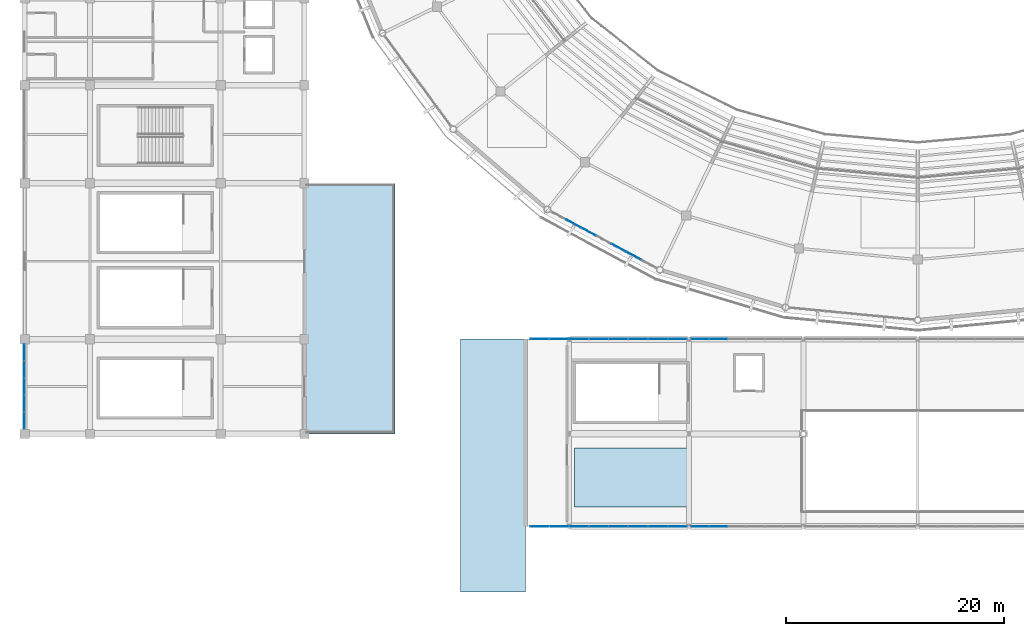
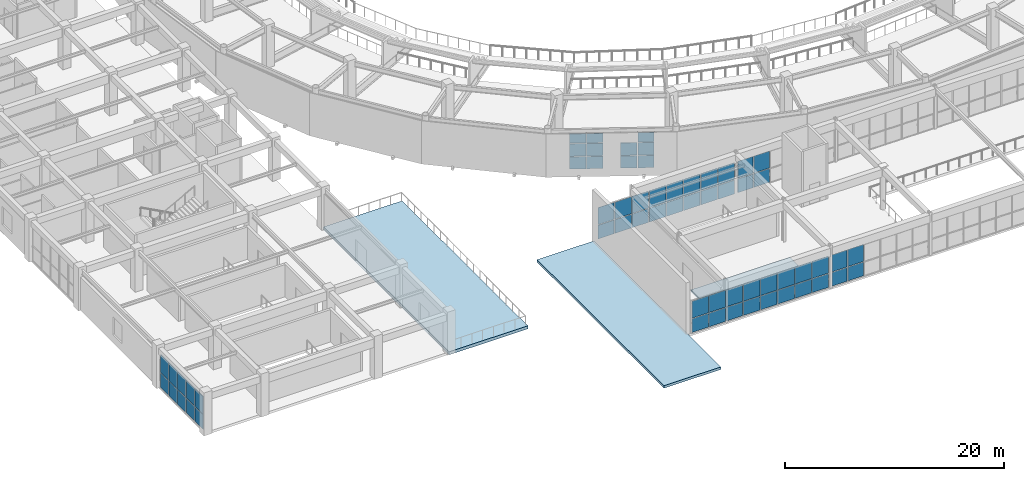
# One storey, part 77 of 122: 61 plates, 3 slabs, 6 elements without a shape of their own.
"""IFC4 building model written with IfcOpenShell, lengths in metres."""

from ifc_helpers import new_model, si_unit, direction, frame, origin, origin_2d, place, context, subcontext, project, spatial, polyline, rectangle, outline, extrude, material, layer, layer_set, type_object, element, aggregate, save


model = new_model("IFC4")

# Units and contexts
model_context = context("Model", 3, precision=1e-05, world=origin(), true_north=direction((0.0, 1.0)))
body_context = subcontext(model_context, "Body", "Model", "MODEL_VIEW")
ifc_project = project(units=[si_unit("LENGTHUNIT", "METRE"), si_unit("AREAUNIT", "SQUARE_METRE"), si_unit("VOLUMEUNIT", "CUBIC_METRE"), si_unit("PLANEANGLEUNIT", "RADIAN"), si_unit("MASSUNIT", "GRAM", prefix="KILO")], contexts=[model_context])

# Site, building, storey
site_placement = place(None, origin())
site = spatial("IfcSite", under=ifc_project, at=site_placement, CompositionType="ELEMENT")
building_placement = place(site_placement, origin())
building = spatial("IfcBuilding", under=site, at=building_placement, Name="Cuetzalor Civic Arena", CompositionType="ELEMENT")
storey_placement = place(building_placement, frame((0.0, 0.0, 16.199951171875)))
storey = spatial("IfcBuildingStorey", under=building, at=storey_placement, Name="L03", CompositionType="ELEMENT", Elevation=16.199951171875)

# Curtain wall, plates
ifc_material_1 = material(Name="Anodised dark bronze aluminium and low-E solar glass", Category="aluminium")
curtain_wall_type_1 = type_object("IfcCurtainWallType", Name="UnitisedCW_10950x4050", PredefinedType="USERDEFINED", material=ifc_material_1)
curtain_wall_1_placement = place(storey_placement, origin())
curtain_wall_1 = element("IfcCurtainWall", 1, at=curtain_wall_1_placement, inside=storey, type_object=curtain_wall_type_1, Name="Drum Triangle Foyer Curtain Wall L03-052", ObjectType="UNITISED CURTAIN WALL", PredefinedType="USERDEFINED")
ifc_material_2 = material(Name="Acoustic laminated solar control glass", Category="glass")
ifc_layer_1 = layer(ifc_material_2, 0.0439453125)
ifc_layer_set_1 = layer_set([ifc_layer_1], Name="Acoustic laminated solar control glass")
plate_type_1 = type_object("IfcPlateType", Name="AcousticTripleGlazedPanel_44", PredefinedType="CURTAIN_PANEL", material=ifc_layer_set_1)
plate_1_placement = place(storey_placement, frame((-26.08349609375, -40.64501953125, 0.06494140625), z_axis=(0.0, 0.0, 1.0), x_axis=(-0.881306344124, 0.472545371163, 0.0)))
plate_1 = element("IfcPlate", 2, at=plate_1_placement, type_object=plate_type_1, Name="CW-13 panel 2.1", PredefinedType="CURTAIN_PANEL", context=body_context, shape_type="SweptSolid", body=[
    extrude(rectangle(XDim=1.498779296875, YDim=0.0439453125, at=origin_2d()), origin(), (0.0, 0.0, 1.0), 1.361572265625),
])
plate_2_placement = place(storey_placement, frame((-26.08349609375, -40.64501953125, 1.491455078125), z_axis=(0.0, 0.0, 1.0), x_axis=(-0.881306344124, 0.472545371163, 0.0)))
plate_2 = element("IfcPlate", 3, at=plate_2_placement, type_object=plate_type_1, Name="CW-13 panel 2.2", PredefinedType="CURTAIN_PANEL", context=body_context, shape_type="SweptSolid", body=[
    extrude(rectangle(XDim=1.498779296875, YDim=0.0439453125, at=origin_2d()), origin(), (0.0, 0.0, 1.0), 1.39404296875),
])
plate_3_placement = place(storey_placement, frame((-26.08349609375, -40.64501953125, 2.950439453125), z_axis=(0.0, 0.0, 1.0), x_axis=(-0.881306344124, 0.472545371163, 0.0)))
plate_3 = element("IfcPlate", 4, at=plate_3_placement, type_object=plate_type_1, Name="CW-13 panel 2.3", PredefinedType="CURTAIN_PANEL", context=body_context, shape_type="SweptSolid", body=[
    extrude(rectangle(XDim=1.498779296875, YDim=0.0439453125, at=origin_2d()), origin(), (0.0, 0.0, 1.0), 1.03759765625),
])
plate_4_placement = place(storey_placement, frame((-27.461669921875, -39.90625, 0.06494140625), z_axis=(0.0, 0.0, 1.0), x_axis=(-0.881306344124, 0.472545371163, 0.0)))
plate_4 = element("IfcPlate", 5, at=plate_4_placement, type_object=plate_type_1, Name="CW-13 panel 3.1", PredefinedType="CURTAIN_PANEL", context=body_context, shape_type="SweptSolid", body=[
    extrude(rectangle(XDim=1.498779296875, YDim=0.0439453125, at=origin_2d()), origin(), (0.0, 0.0, 1.0), 1.361572265625),
])
plate_5_placement = place(storey_placement, frame((-27.461669921875, -39.90625, 1.491455078125), z_axis=(0.0, 0.0, 1.0), x_axis=(-0.881306344124, 0.472545371163, 0.0)))
plate_5 = element("IfcPlate", 6, at=plate_5_placement, type_object=plate_type_1, Name="CW-13 panel 3.2", PredefinedType="CURTAIN_PANEL", context=body_context, shape_type="SweptSolid", body=[
    extrude(rectangle(XDim=1.498779296875, YDim=0.0439453125, at=origin_2d()), origin(), (0.0, 0.0, 1.0), 1.39404296875),
])
plate_6_placement = place(storey_placement, frame((-30.218017578125, -38.42822265625, 0.06494140625), z_axis=(0.0, 0.0, 1.0), x_axis=(-0.881306344124, 0.472545371163, 0.0)))
plate_6 = element("IfcPlate", 7, at=plate_6_placement, type_object=plate_type_1, Name="CW-13 panel 5.1", PredefinedType="CURTAIN_PANEL", context=body_context, shape_type="SweptSolid", body=[
    extrude(rectangle(XDim=1.498779296875, YDim=0.0439453125, at=origin_2d()), origin(), (0.0, 0.0, 1.0), 1.361572265625),
])
plate_7_placement = place(storey_placement, frame((-30.218017578125, -38.42822265625, 1.491455078125), z_axis=(0.0, 0.0, 1.0), x_axis=(-0.881306344124, 0.472545371163, 0.0)))
plate_7 = element("IfcPlate", 8, at=plate_7_placement, type_object=plate_type_1, Name="CW-13 panel 5.2", PredefinedType="CURTAIN_PANEL", context=body_context, shape_type="SweptSolid", body=[
    extrude(rectangle(XDim=1.498779296875, YDim=0.0439453125, at=origin_2d()), origin(), (0.0, 0.0, 1.0), 1.39404296875),
])
plate_8_placement = place(storey_placement, frame((-30.218017578125, -38.42822265625, 2.950439453125), z_axis=(0.0, 0.0, 1.0), x_axis=(-0.881306344124, 0.472545371163, 0.0)))
plate_8 = element("IfcPlate", 9, at=plate_8_placement, type_object=plate_type_1, Name="CW-13 panel 5.3", PredefinedType="CURTAIN_PANEL", context=body_context, shape_type="SweptSolid", body=[
    extrude(rectangle(XDim=1.498779296875, YDim=0.0439453125, at=origin_2d()), origin(), (0.0, 0.0, 1.0), 1.03759765625),
])
plate_9_placement = place(storey_placement, frame((-31.59619140625, -37.689208984375, 0.06494140625), z_axis=(0.0, 0.0, 1.0), x_axis=(-0.881306344124, 0.472545371163, 0.0)))
plate_9 = element("IfcPlate", 10, at=plate_9_placement, type_object=plate_type_1, Name="CW-13 panel 6.1", PredefinedType="CURTAIN_PANEL", context=body_context, shape_type="SweptSolid", body=[
    extrude(rectangle(XDim=1.498779296875, YDim=0.0439453125, at=origin_2d()), origin(), (0.0, 0.0, 1.0), 1.361572265625),
])
plate_10_placement = place(storey_placement, frame((-31.59619140625, -37.689208984375, 1.491455078125), z_axis=(0.0, 0.0, 1.0), x_axis=(-0.881306344124, 0.472545371163, 0.0)))
plate_10 = element("IfcPlate", 11, at=plate_10_placement, type_object=plate_type_1, Name="CW-13 panel 6.2", PredefinedType="CURTAIN_PANEL", context=body_context, shape_type="SweptSolid", body=[
    extrude(rectangle(XDim=1.498779296875, YDim=0.0439453125, at=origin_2d()), origin(), (0.0, 0.0, 1.0), 1.39404296875),
])
plate_11_placement = place(storey_placement, frame((-31.59619140625, -37.689208984375, 2.950439453125), z_axis=(0.0, 0.0, 1.0), x_axis=(-0.881306344124, 0.472545371163, 0.0)))
plate_11 = element("IfcPlate", 12, at=plate_11_placement, type_object=plate_type_1, Name="CW-13 panel 6.3", PredefinedType="CURTAIN_PANEL", context=body_context, shape_type="SweptSolid", body=[
    extrude(rectangle(XDim=1.498779296875, YDim=0.0439453125, at=origin_2d()), origin(), (0.0, 0.0, 1.0), 1.03759765625),
])
aggregate(curtain_wall_1, [plate_1, plate_2, plate_3, plate_4, plate_5, plate_6, plate_7, plate_8, plate_9, plate_10, plate_11])

ifc_material_3 = material(Name="Anodised dark bronze aluminium and low-E solar glass", Category="aluminium")
curtain_wall_type_2 = type_object("IfcCurtainWallType", Name="UnitisedCW_7900x3800", PredefinedType="USERDEFINED", material=ifc_material_3)
curtain_wall_2_placement = place(storey_placement, origin())
curtain_wall_2 = element("IfcCurtainWall", 13, at=curtain_wall_2_placement, inside=storey, type_object=curtain_wall_type_2, Name="V4W Suite Viewing Curtain Wall L03-118", ObjectType="UNITISED CURTAIN WALL", PredefinedType="USERDEFINED")
plate_12_placement = place(storey_placement, frame((-82.0, -55.7880859375, 0.06494140625), z_axis=(0.0, 0.0, 1.0), x_axis=(0.0, 1.0, 0.0)))
plate_12 = element("IfcPlate", 14, at=plate_12_placement, type_object=plate_type_1, Name="CW-44 panel 1.1", PredefinedType="CURTAIN_PANEL", context=body_context, shape_type="SweptSolid", body=[
    extrude(rectangle(XDim=1.479736328125, YDim=0.0439453125, at=origin_2d()), origin(), (0.0, 0.0, 1.0), 1.612548828125),
])
plate_13_placement = place(storey_placement, frame((-82.0, -55.7880859375, 1.74267578125), z_axis=(0.0, 0.0, 1.0), x_axis=(0.0, 1.0, 0.0)))
plate_13 = element("IfcPlate", 15, at=plate_13_placement, type_object=plate_type_1, Name="CW-44 panel 1.2", PredefinedType="CURTAIN_PANEL", context=body_context, shape_type="SweptSolid", body=[
    extrude(rectangle(XDim=1.479736328125, YDim=0.0439453125, at=origin_2d()), origin(), (0.0, 0.0, 1.0), 1.992431640625),
])
plate_14_placement = place(storey_placement, frame((-82.0, -54.227294921875, 0.06494140625), z_axis=(0.0, 0.0, 1.0), x_axis=(0.0, 1.0, 0.0)))
plate_14 = element("IfcPlate", 16, at=plate_14_placement, type_object=plate_type_1, Name="CW-44 panel 2.1", PredefinedType="CURTAIN_PANEL", context=body_context, shape_type="SweptSolid", body=[
    extrude(rectangle(XDim=1.51220703125, YDim=0.0439453125, at=origin_2d()), origin(), (0.0, 0.0, 1.0), 1.612548828125),
])
plate_15_placement = place(storey_placement, frame((-82.0, -54.227294921875, 1.74267578125), z_axis=(0.0, 0.0, 1.0), x_axis=(0.0, 1.0, 0.0)))
plate_15 = element("IfcPlate", 17, at=plate_15_placement, type_object=plate_type_1, Name="CW-44 panel 2.2", PredefinedType="CURTAIN_PANEL", context=body_context, shape_type="SweptSolid", body=[
    extrude(rectangle(XDim=1.51220703125, YDim=0.0439453125, at=origin_2d()), origin(), (0.0, 0.0, 1.0), 1.992431640625),
])
plate_16_placement = place(storey_placement, frame((-82.0, -52.64990234375, 0.06494140625), z_axis=(0.0, 0.0, 1.0), x_axis=(0.0, 1.0, 0.0)))
plate_16 = element("IfcPlate", 18, at=plate_16_placement, type_object=plate_type_1, Name="CW-44 panel 3.1", PredefinedType="CURTAIN_PANEL", context=body_context, shape_type="SweptSolid", body=[
    extrude(rectangle(XDim=1.51220703125, YDim=0.0439453125, at=origin_2d()), origin(), (0.0, 0.0, 1.0), 1.612548828125),
])
plate_17_placement = place(storey_placement, frame((-82.0, -52.64990234375, 1.74267578125), z_axis=(0.0, 0.0, 1.0), x_axis=(0.0, 1.0, 0.0)))
plate_17 = element("IfcPlate", 19, at=plate_17_placement, type_object=plate_type_1, Name="CW-44 panel 3.2", PredefinedType="CURTAIN_PANEL", context=body_context, shape_type="SweptSolid", body=[
    extrude(rectangle(XDim=1.51220703125, YDim=0.0439453125, at=origin_2d()), origin(), (0.0, 0.0, 1.0), 1.992431640625),
])
plate_18_placement = place(storey_placement, frame((-82.0, -51.07275390625, 0.06494140625), z_axis=(0.0, 0.0, 1.0), x_axis=(0.0, 1.0, 0.0)))
plate_18 = element("IfcPlate", 20, at=plate_18_placement, type_object=plate_type_1, Name="CW-44 panel 4.1", PredefinedType="CURTAIN_PANEL", context=body_context, shape_type="SweptSolid", body=[
    extrude(rectangle(XDim=1.51220703125, YDim=0.0439453125, at=origin_2d()), origin(), (0.0, 0.0, 1.0), 1.612548828125),
])
plate_19_placement = place(storey_placement, frame((-82.0, -51.07275390625, 1.74267578125), z_axis=(0.0, 0.0, 1.0), x_axis=(0.0, 1.0, 0.0)))
plate_19 = element("IfcPlate", 21, at=plate_19_placement, type_object=plate_type_1, Name="CW-44 panel 4.2", PredefinedType="CURTAIN_PANEL", context=body_context, shape_type="SweptSolid", body=[
    extrude(rectangle(XDim=1.51220703125, YDim=0.0439453125, at=origin_2d()), origin(), (0.0, 0.0, 1.0), 1.992431640625),
])
plate_20_placement = place(storey_placement, frame((-82.0, -49.511962890625, 0.06494140625), z_axis=(0.0, 0.0, 1.0), x_axis=(0.0, 1.0, 0.0)))
plate_20 = element("IfcPlate", 22, at=plate_20_placement, type_object=plate_type_1, Name="CW-44 panel 5.1", PredefinedType="CURTAIN_PANEL", context=body_context, shape_type="SweptSolid", body=[
    extrude(rectangle(XDim=1.479736328125, YDim=0.0439453125, at=origin_2d()), origin(), (0.0, 0.0, 1.0), 1.612548828125),
])
plate_21_placement = place(storey_placement, frame((-82.0, -49.511962890625, 1.74267578125), z_axis=(0.0, 0.0, 1.0), x_axis=(0.0, 1.0, 0.0)))
plate_21 = element("IfcPlate", 23, at=plate_21_placement, type_object=plate_type_1, Name="CW-44 panel 5.2", PredefinedType="CURTAIN_PANEL", context=body_context, shape_type="SweptSolid", body=[
    extrude(rectangle(XDim=1.479736328125, YDim=0.0439453125, at=origin_2d()), origin(), (0.0, 0.0, 1.0), 1.992431640625),
])
aggregate(curtain_wall_2, [plate_12, plate_13, plate_14, plate_15, plate_16, plate_17, plate_18, plate_19, plate_20, plate_21])

# Slabs
ifc_material_4 = material(Name="Concrete C40/50", Category="concrete")
ifc_layer_2 = layer(ifc_material_4, 0.219970703125)
ifc_layer_set_2 = layer_set([ifc_layer_2], Name="Concrete C40/50")
slab_type_1 = type_object("IfcSlabType", Name="LiftShaftRoofCapSlab_220", PredefinedType="ROOF", material=ifc_layer_set_2)
slab_1_placement = place(storey_placement, frame((0.0, 0.0, -1.199951171875)))
element("IfcSlab", 24, at=slab_1_placement, inside=storey, type_object=slab_type_1, Name="Stair Core Enclosure Cap Slab ST-09", PredefinedType="ROOF", context=body_context, shape_type="SweptSolid", body=[
    extrude(outline(polyline([(-31.52001953125, -63.719970703125), (-21.080078125, -63.719970703125), (-21.080078125, -58.280029296875), (-31.52001953125, -58.280029296875), (-31.52001953125, -63.719970703125)])), origin(), (0.0, 0.0, 1.0), 0.219970703125),
])
ifc_material_5 = material(Name="Concrete C35/45", Category="concrete")
ifc_layer_3 = layer(ifc_material_5, 0.340087890625)
ifc_layer_set_3 = layer_set([ifc_layer_3], Name="Concrete C35/45")
slab_type_2 = type_object("IfcSlabType", Name="PlantedRoofGardenSlab_340", PredefinedType="FLOOR", material=ifc_layer_set_3)
slab_2_placement = place(storey_placement, frame((0.0, 0.0, -0.33984375)))
element("IfcSlab", 25, at=slab_2_placement, inside=storey, type_object=slab_type_2, Name="Planted Roof Garden 1 Slab L03", PredefinedType="FLOOR", context=body_context, shape_type="SweptSolid", body=[
    extrude(outline(polyline([(-56.300048828125, -57.0), (-48.0, -57.0), (-48.0, -34.0), (-56.300048828125, -34.0), (-56.300048828125, -57.0)])), origin(), (0.0, 0.0, 1.0), 0.33984375),
])

# Curtain wall, plates
ifc_material_6 = material(Name="Anodised dark bronze aluminium and low-E solar glass", Category="aluminium")
curtain_wall_type_3 = type_object("IfcCurtainWallType", Name="StickCW_14550x3600", PredefinedType="USERDEFINED", material=ifc_material_6)
curtain_wall_3_placement = place(storey_placement, origin())
curtain_wall_3 = element("IfcCurtainWall", 26, at=curtain_wall_3_placement, inside=storey, type_object=curtain_wall_type_3, Name="Foyer Vault Clerestory Curtain Wall L03-091", ObjectType="STICK CURTAIN WALL", PredefinedType="USERDEFINED")
ifc_material_7 = material(Name="Low-E laminated solar control glass", Category="glass")
ifc_layer_4 = layer(ifc_material_7, 0.031982421875)
ifc_layer_set_4 = layer_set([ifc_layer_4], Name="Low-E laminated solar control glass")
plate_type_2 = type_object("IfcPlateType", Name="SolarControlGlazedPanel_32", PredefinedType="CURTAIN_PANEL", material=ifc_layer_set_4)
plate_22_placement = place(storey_placement, frame((-22.048583984375, -65.5, 0.06494140625), z_axis=(0.0, 0.0, 1.0), x_axis=(-1.0, 0.0, 0.0)))
plate_22 = element("IfcPlate", 27, at=plate_22_placement, type_object=plate_type_2, Name="CW-28 panel 1.1", PredefinedType="CURTAIN_PANEL", context=body_context, shape_type="SweptSolid", body=[
    extrude(rectangle(XDim=1.71826171875, YDim=0.031982421875, at=origin_2d()), origin(), (0.0, 0.0, 1.0), 1.531494140625),
])
plate_23_placement = place(storey_placement, frame((-22.048583984375, -65.5, 1.66162109375), z_axis=(0.0, 0.0, 1.0), x_axis=(-1.0, 0.0, 0.0)))
plate_23 = element("IfcPlate", 28, at=plate_23_placement, type_object=plate_type_2, Name="CW-28 panel 1.2", PredefinedType="CURTAIN_PANEL", context=body_context, shape_type="SweptSolid", body=[
    extrude(rectangle(XDim=1.71826171875, YDim=0.031982421875, at=origin_2d()), origin(), (0.0, 0.0, 1.0), 1.8935546875),
])
plate_24_placement = place(storey_placement, frame((-23.84814453125, -65.5, 0.06494140625), z_axis=(0.0, 0.0, 1.0), x_axis=(-1.0, 0.0, 0.0)))
plate_24 = element("IfcPlate", 29, at=plate_24_placement, type_object=plate_type_2, Name="CW-28 panel 2.1", PredefinedType="CURTAIN_PANEL", context=body_context, shape_type="SweptSolid", body=[
    extrude(rectangle(XDim=1.750732421875, YDim=0.031982421875, at=origin_2d()), origin(), (0.0, 0.0, 1.0), 1.531494140625),
])
plate_25_placement = place(storey_placement, frame((-23.84814453125, -65.5, 1.66162109375), z_axis=(0.0, 0.0, 1.0), x_axis=(-1.0, 0.0, 0.0)))
plate_25 = element("IfcPlate", 30, at=plate_25_placement, type_object=plate_type_2, Name="CW-28 panel 2.2", PredefinedType="CURTAIN_PANEL", context=body_context, shape_type="SweptSolid", body=[
    extrude(rectangle(XDim=1.750732421875, YDim=0.031982421875, at=origin_2d()), origin(), (0.0, 0.0, 1.0), 1.8935546875),
])
plate_26_placement = place(storey_placement, frame((-25.663818359375, -65.5, 0.06494140625), z_axis=(0.0, 0.0, 1.0), x_axis=(-1.0, 0.0, 0.0)))
plate_26 = element("IfcPlate", 31, at=plate_26_placement, type_object=plate_type_2, Name="CW-28 panel 3.1", PredefinedType="CURTAIN_PANEL", context=body_context, shape_type="SweptSolid", body=[
    extrude(rectangle(XDim=1.750732421875, YDim=0.031982421875, at=origin_2d()), origin(), (0.0, 0.0, 1.0), 1.531494140625),
])
plate_27_placement = place(storey_placement, frame((-25.663818359375, -65.5, 1.66162109375), z_axis=(0.0, 0.0, 1.0), x_axis=(-1.0, 0.0, 0.0)))
plate_27 = element("IfcPlate", 32, at=plate_27_placement, type_object=plate_type_2, Name="CW-28 panel 3.2", PredefinedType="CURTAIN_PANEL", context=body_context, shape_type="SweptSolid", body=[
    extrude(rectangle(XDim=1.750732421875, YDim=0.031982421875, at=origin_2d()), origin(), (0.0, 0.0, 1.0), 1.8935546875),
])
plate_28_placement = place(storey_placement, frame((-27.4794921875, -65.5, 0.06494140625), z_axis=(0.0, 0.0, 1.0), x_axis=(-1.0, 0.0, 0.0)))
plate_28 = element("IfcPlate", 33, at=plate_28_placement, type_object=plate_type_2, Name="CW-28 panel 4.1", PredefinedType="CURTAIN_PANEL", context=body_context, shape_type="SweptSolid", body=[
    extrude(rectangle(XDim=1.750732421875, YDim=0.031982421875, at=origin_2d()), origin(), (0.0, 0.0, 1.0), 1.531494140625),
])
plate_29_placement = place(storey_placement, frame((-27.4794921875, -65.5, 1.66162109375), z_axis=(0.0, 0.0, 1.0), x_axis=(-1.0, 0.0, 0.0)))
plate_29 = element("IfcPlate", 34, at=plate_29_placement, type_object=plate_type_2, Name="CW-28 panel 4.2", PredefinedType="CURTAIN_PANEL", context=body_context, shape_type="SweptSolid", body=[
    extrude(rectangle(XDim=1.750732421875, YDim=0.031982421875, at=origin_2d()), origin(), (0.0, 0.0, 1.0), 1.8935546875),
])
plate_30_placement = place(storey_placement, frame((-29.295166015625, -65.5, 0.06494140625), z_axis=(0.0, 0.0, 1.0), x_axis=(-1.0, 0.0, 0.0)))
plate_30 = element("IfcPlate", 35, at=plate_30_placement, type_object=plate_type_2, Name="CW-28 panel 5.1", PredefinedType="CURTAIN_PANEL", context=body_context, shape_type="SweptSolid", body=[
    extrude(rectangle(XDim=1.750732421875, YDim=0.031982421875, at=origin_2d()), origin(), (0.0, 0.0, 1.0), 1.531494140625),
])
plate_31_placement = place(storey_placement, frame((-29.295166015625, -65.5, 1.66162109375), z_axis=(0.0, 0.0, 1.0), x_axis=(-1.0, 0.0, 0.0)))
plate_31 = element("IfcPlate", 36, at=plate_31_placement, type_object=plate_type_2, Name="CW-28 panel 5.2", PredefinedType="CURTAIN_PANEL", context=body_context, shape_type="SweptSolid", body=[
    extrude(rectangle(XDim=1.750732421875, YDim=0.031982421875, at=origin_2d()), origin(), (0.0, 0.0, 1.0), 1.8935546875),
])
plate_32_placement = place(storey_placement, frame((-31.11083984375, -65.5, 0.06494140625), z_axis=(0.0, 0.0, 1.0), x_axis=(-1.0, 0.0, 0.0)))
plate_32 = element("IfcPlate", 37, at=plate_32_placement, type_object=plate_type_2, Name="CW-28 panel 6.1", PredefinedType="CURTAIN_PANEL", context=body_context, shape_type="SweptSolid", body=[
    extrude(rectangle(XDim=1.750732421875, YDim=0.031982421875, at=origin_2d()), origin(), (0.0, 0.0, 1.0), 1.531494140625),
])
plate_33_placement = place(storey_placement, frame((-31.11083984375, -65.5, 1.66162109375), z_axis=(0.0, 0.0, 1.0), x_axis=(-1.0, 0.0, 0.0)))
plate_33 = element("IfcPlate", 38, at=plate_33_placement, type_object=plate_type_2, Name="CW-28 panel 6.2", PredefinedType="CURTAIN_PANEL", context=body_context, shape_type="SweptSolid", body=[
    extrude(rectangle(XDim=1.750732421875, YDim=0.031982421875, at=origin_2d()), origin(), (0.0, 0.0, 1.0), 1.8935546875),
])
plate_34_placement = place(storey_placement, frame((-32.926513671875, -65.5, 0.06494140625), z_axis=(0.0, 0.0, 1.0), x_axis=(-1.0, 0.0, 0.0)))
plate_34 = element("IfcPlate", 39, at=plate_34_placement, type_object=plate_type_2, Name="CW-28 panel 7.1", PredefinedType="CURTAIN_PANEL", context=body_context, shape_type="SweptSolid", body=[
    extrude(rectangle(XDim=1.750732421875, YDim=0.031982421875, at=origin_2d()), origin(), (0.0, 0.0, 1.0), 1.531494140625),
])
plate_35_placement = place(storey_placement, frame((-32.926513671875, -65.5, 1.66162109375), z_axis=(0.0, 0.0, 1.0), x_axis=(-1.0, 0.0, 0.0)))
plate_35 = element("IfcPlate", 40, at=plate_35_placement, type_object=plate_type_2, Name="CW-28 panel 7.2", PredefinedType="CURTAIN_PANEL", context=body_context, shape_type="SweptSolid", body=[
    extrude(rectangle(XDim=1.750732421875, YDim=0.031982421875, at=origin_2d()), origin(), (0.0, 0.0, 1.0), 1.8935546875),
])
plate_36_placement = place(storey_placement, frame((-34.725830078125, -65.5, 0.06494140625), z_axis=(0.0, 0.0, 1.0), x_axis=(-1.0, 0.0, 0.0)))
plate_36 = element("IfcPlate", 41, at=plate_36_placement, type_object=plate_type_2, Name="CW-28 panel 8.1", PredefinedType="CURTAIN_PANEL", context=body_context, shape_type="SweptSolid", body=[
    extrude(rectangle(XDim=1.71826171875, YDim=0.031982421875, at=origin_2d()), origin(), (0.0, 0.0, 1.0), 1.531494140625),
])
plate_37_placement = place(storey_placement, frame((-34.725830078125, -65.5, 1.66162109375), z_axis=(0.0, 0.0, 1.0), x_axis=(-1.0, 0.0, 0.0)))
plate_37 = element("IfcPlate", 42, at=plate_37_placement, type_object=plate_type_2, Name="CW-28 panel 8.2", PredefinedType="CURTAIN_PANEL", context=body_context, shape_type="SweptSolid", body=[
    extrude(rectangle(XDim=1.71826171875, YDim=0.031982421875, at=origin_2d()), origin(), (0.0, 0.0, 1.0), 1.8935546875),
])
aggregate(curtain_wall_3, [plate_22, plate_23, plate_24, plate_25, plate_26, plate_27, plate_28, plate_29, plate_30, plate_31, plate_32, plate_33, plate_34, plate_35, plate_36, plate_37])

curtain_wall_4_placement = place(storey_placement, origin())
curtain_wall_4 = element("IfcCurtainWall", 43, at=curtain_wall_4_placement, inside=storey, type_object=curtain_wall_type_3, Name="Foyer North Clerestory Curtain Wall L03-092", ObjectType="STICK CURTAIN WALL", PredefinedType="USERDEFINED")
plate_38_placement = place(storey_placement, frame((-34.725830078125, -48.300048828125, 0.06494140625), z_axis=(0.0, 0.0, 1.0), x_axis=(1.0, 0.0, 0.0)))
plate_38 = element("IfcPlate", 44, at=plate_38_placement, type_object=plate_type_2, Name="CW-28 panel 1.1", PredefinedType="CURTAIN_PANEL", context=body_context, shape_type="SweptSolid", body=[
    extrude(rectangle(XDim=1.71826171875, YDim=0.031982421875, at=origin_2d()), origin(), (0.0, 0.0, 1.0), 1.531494140625),
])
plate_39_placement = place(storey_placement, frame((-34.725830078125, -48.300048828125, 1.66162109375), z_axis=(0.0, 0.0, 1.0), x_axis=(1.0, 0.0, 0.0)))
plate_39 = element("IfcPlate", 45, at=plate_39_placement, type_object=plate_type_2, Name="CW-28 panel 1.2", PredefinedType="CURTAIN_PANEL", context=body_context, shape_type="SweptSolid", body=[
    extrude(rectangle(XDim=1.71826171875, YDim=0.031982421875, at=origin_2d()), origin(), (0.0, 0.0, 1.0), 1.8935546875),
])
plate_40_placement = place(storey_placement, frame((-32.926513671875, -48.300048828125, 0.06494140625), z_axis=(0.0, 0.0, 1.0), x_axis=(1.0, 0.0, 0.0)))
plate_40 = element("IfcPlate", 46, at=plate_40_placement, type_object=plate_type_2, Name="CW-28 panel 2.1", PredefinedType="CURTAIN_PANEL", context=body_context, shape_type="SweptSolid", body=[
    extrude(rectangle(XDim=1.750732421875, YDim=0.031982421875, at=origin_2d()), origin(), (0.0, 0.0, 1.0), 1.531494140625),
])
plate_41_placement = place(storey_placement, frame((-32.926513671875, -48.300048828125, 1.66162109375), z_axis=(0.0, 0.0, 1.0), x_axis=(1.0, 0.0, 0.0)))
plate_41 = element("IfcPlate", 47, at=plate_41_placement, type_object=plate_type_2, Name="CW-28 panel 2.2", PredefinedType="CURTAIN_PANEL", context=body_context, shape_type="SweptSolid", body=[
    extrude(rectangle(XDim=1.750732421875, YDim=0.031982421875, at=origin_2d()), origin(), (0.0, 0.0, 1.0), 1.8935546875),
])
plate_42_placement = place(storey_placement, frame((-31.11083984375, -48.300048828125, 0.06494140625), z_axis=(0.0, 0.0, 1.0), x_axis=(1.0, 0.0, 0.0)))
plate_42 = element("IfcPlate", 48, at=plate_42_placement, type_object=plate_type_2, Name="CW-28 panel 3.1", PredefinedType="CURTAIN_PANEL", context=body_context, shape_type="SweptSolid", body=[
    extrude(rectangle(XDim=1.750732421875, YDim=0.031982421875, at=origin_2d()), origin(), (0.0, 0.0, 1.0), 1.531494140625),
])
plate_43_placement = place(storey_placement, frame((-31.11083984375, -48.300048828125, 1.66162109375), z_axis=(0.0, 0.0, 1.0), x_axis=(1.0, 0.0, 0.0)))
plate_43 = element("IfcPlate", 49, at=plate_43_placement, type_object=plate_type_2, Name="CW-28 panel 3.2", PredefinedType="CURTAIN_PANEL", context=body_context, shape_type="SweptSolid", body=[
    extrude(rectangle(XDim=1.750732421875, YDim=0.031982421875, at=origin_2d()), origin(), (0.0, 0.0, 1.0), 1.8935546875),
])
plate_44_placement = place(storey_placement, frame((-29.295166015625, -48.300048828125, 0.06494140625), z_axis=(0.0, 0.0, 1.0), x_axis=(1.0, 0.0, 0.0)))
plate_44 = element("IfcPlate", 50, at=plate_44_placement, type_object=plate_type_2, Name="CW-28 panel 4.1", PredefinedType="CURTAIN_PANEL", context=body_context, shape_type="SweptSolid", body=[
    extrude(rectangle(XDim=1.750732421875, YDim=0.031982421875, at=origin_2d()), origin(), (0.0, 0.0, 1.0), 1.531494140625),
])
plate_45_placement = place(storey_placement, frame((-29.295166015625, -48.300048828125, 1.66162109375), z_axis=(0.0, 0.0, 1.0), x_axis=(1.0, 0.0, 0.0)))
plate_45 = element("IfcPlate", 51, at=plate_45_placement, type_object=plate_type_2, Name="CW-28 panel 4.2", PredefinedType="CURTAIN_PANEL", context=body_context, shape_type="SweptSolid", body=[
    extrude(rectangle(XDim=1.750732421875, YDim=0.031982421875, at=origin_2d()), origin(), (0.0, 0.0, 1.0), 1.8935546875),
])
plate_46_placement = place(storey_placement, frame((-27.4794921875, -48.300048828125, 0.06494140625), z_axis=(0.0, 0.0, 1.0), x_axis=(1.0, 0.0, 0.0)))
plate_46 = element("IfcPlate", 52, at=plate_46_placement, type_object=plate_type_2, Name="CW-28 panel 5.1", PredefinedType="CURTAIN_PANEL", context=body_context, shape_type="SweptSolid", body=[
    extrude(rectangle(XDim=1.750732421875, YDim=0.031982421875, at=origin_2d()), origin(), (0.0, 0.0, 1.0), 1.531494140625),
])
plate_47_placement = place(storey_placement, frame((-27.4794921875, -48.300048828125, 1.66162109375), z_axis=(0.0, 0.0, 1.0), x_axis=(1.0, 0.0, 0.0)))
plate_47 = element("IfcPlate", 53, at=plate_47_placement, type_object=plate_type_2, Name="CW-28 panel 5.2", PredefinedType="CURTAIN_PANEL", context=body_context, shape_type="SweptSolid", body=[
    extrude(rectangle(XDim=1.750732421875, YDim=0.031982421875, at=origin_2d()), origin(), (0.0, 0.0, 1.0), 1.8935546875),
])
plate_48_placement = place(storey_placement, frame((-25.663818359375, -48.300048828125, 0.06494140625), z_axis=(0.0, 0.0, 1.0), x_axis=(1.0, 0.0, 0.0)))
plate_48 = element("IfcPlate", 54, at=plate_48_placement, type_object=plate_type_2, Name="CW-28 panel 6.1", PredefinedType="CURTAIN_PANEL", context=body_context, shape_type="SweptSolid", body=[
    extrude(rectangle(XDim=1.750732421875, YDim=0.031982421875, at=origin_2d()), origin(), (0.0, 0.0, 1.0), 1.531494140625),
])
plate_49_placement = place(storey_placement, frame((-25.663818359375, -48.300048828125, 1.66162109375), z_axis=(0.0, 0.0, 1.0), x_axis=(1.0, 0.0, 0.0)))
plate_49 = element("IfcPlate", 55, at=plate_49_placement, type_object=plate_type_2, Name="CW-28 panel 6.2", PredefinedType="CURTAIN_PANEL", context=body_context, shape_type="SweptSolid", body=[
    extrude(rectangle(XDim=1.750732421875, YDim=0.031982421875, at=origin_2d()), origin(), (0.0, 0.0, 1.0), 1.8935546875),
])
plate_50_placement = place(storey_placement, frame((-23.84814453125, -48.300048828125, 0.06494140625), z_axis=(0.0, 0.0, 1.0), x_axis=(1.0, 0.0, 0.0)))
plate_50 = element("IfcPlate", 56, at=plate_50_placement, type_object=plate_type_2, Name="CW-28 panel 7.1", PredefinedType="CURTAIN_PANEL", context=body_context, shape_type="SweptSolid", body=[
    extrude(rectangle(XDim=1.750732421875, YDim=0.031982421875, at=origin_2d()), origin(), (0.0, 0.0, 1.0), 1.531494140625),
])
plate_51_placement = place(storey_placement, frame((-23.84814453125, -48.300048828125, 1.66162109375), z_axis=(0.0, 0.0, 1.0), x_axis=(1.0, 0.0, 0.0)))
plate_51 = element("IfcPlate", 57, at=plate_51_placement, type_object=plate_type_2, Name="CW-28 panel 7.2", PredefinedType="CURTAIN_PANEL", context=body_context, shape_type="SweptSolid", body=[
    extrude(rectangle(XDim=1.750732421875, YDim=0.031982421875, at=origin_2d()), origin(), (0.0, 0.0, 1.0), 1.8935546875),
])
plate_52_placement = place(storey_placement, frame((-22.048583984375, -48.300048828125, 0.06494140625), z_axis=(0.0, 0.0, 1.0), x_axis=(1.0, 0.0, 0.0)))
plate_52 = element("IfcPlate", 58, at=plate_52_placement, type_object=plate_type_2, Name="CW-28 panel 8.1", PredefinedType="CURTAIN_PANEL", context=body_context, shape_type="SweptSolid", body=[
    extrude(rectangle(XDim=1.71826171875, YDim=0.031982421875, at=origin_2d()), origin(), (0.0, 0.0, 1.0), 1.531494140625),
])
plate_53_placement = place(storey_placement, frame((-22.048583984375, -48.300048828125, 1.66162109375), z_axis=(0.0, 0.0, 1.0), x_axis=(1.0, 0.0, 0.0)))
plate_53 = element("IfcPlate", 59, at=plate_53_placement, type_object=plate_type_2, Name="CW-28 panel 8.2", PredefinedType="CURTAIN_PANEL", context=body_context, shape_type="SweptSolid", body=[
    extrude(rectangle(XDim=1.71826171875, YDim=0.031982421875, at=origin_2d()), origin(), (0.0, 0.0, 1.0), 1.8935546875),
])
aggregate(curtain_wall_4, [plate_38, plate_39, plate_40, plate_41, plate_42, plate_43, plate_44, plate_45, plate_46, plate_47, plate_48, plate_49, plate_50, plate_51, plate_52, plate_53])

ifc_material_8 = material(Name="Anodised dark bronze aluminium and low-E solar glass", Category="aluminium")
curtain_wall_type_4 = type_object("IfcCurtainWallType", Name="StickCW_10250x3600", PredefinedType="USERDEFINED", material=ifc_material_8)
curtain_wall_5_placement = place(storey_placement, origin())
curtain_wall_5 = element("IfcCurtainWall", 60, at=curtain_wall_5_placement, inside=storey, type_object=curtain_wall_type_4, Name="Foyer Vault Clerestory Curtain Wall L03-093", ObjectType="STICK CURTAIN WALL", PredefinedType="USERDEFINED")
plate_54_placement = place(storey_placement, frame((-18.312744140625, -65.5, 0.06494140625), z_axis=(0.0, 0.0, 1.0), x_axis=(-1.0, 0.0, 0.0)))
plate_54 = element("IfcPlate", 61, at=plate_54_placement, type_object=plate_type_2, Name="CW-29 panel 5.1", PredefinedType="CURTAIN_PANEL", context=body_context, shape_type="SweptSolid", body=[
    extrude(rectangle(XDim=1.6435546875, YDim=0.031982421875, at=origin_2d()), origin(), (0.0, 0.0, 1.0), 1.531494140625),
])
plate_55_placement = place(storey_placement, frame((-18.312744140625, -65.5, 1.66162109375), z_axis=(0.0, 0.0, 1.0), x_axis=(-1.0, 0.0, 0.0)))
plate_55 = element("IfcPlate", 62, at=plate_55_placement, type_object=plate_type_2, Name="CW-29 panel 5.2", PredefinedType="CURTAIN_PANEL", context=body_context, shape_type="SweptSolid", body=[
    extrude(rectangle(XDim=1.6435546875, YDim=0.031982421875, at=origin_2d()), origin(), (0.0, 0.0, 1.0), 1.8935546875),
])
plate_56_placement = place(storey_placement, frame((-20.0048828125, -65.5, 0.06494140625), z_axis=(0.0, 0.0, 1.0), x_axis=(-1.0, 0.0, 0.0)))
plate_56 = element("IfcPlate", 63, at=plate_56_placement, type_object=plate_type_2, Name="CW-29 panel 6.1", PredefinedType="CURTAIN_PANEL", context=body_context, shape_type="SweptSolid", body=[
    extrude(rectangle(XDim=1.611083984375, YDim=0.031982421875, at=origin_2d()), origin(), (0.0, 0.0, 1.0), 1.531494140625),
])
plate_57_placement = place(storey_placement, frame((-20.0048828125, -65.5, 1.66162109375), z_axis=(0.0, 0.0, 1.0), x_axis=(-1.0, 0.0, 0.0)))
plate_57 = element("IfcPlate", 64, at=plate_57_placement, type_object=plate_type_2, Name="CW-29 panel 6.2", PredefinedType="CURTAIN_PANEL", context=body_context, shape_type="SweptSolid", body=[
    extrude(rectangle(XDim=1.611083984375, YDim=0.031982421875, at=origin_2d()), origin(), (0.0, 0.0, 1.0), 1.8935546875),
])
aggregate(curtain_wall_5, [plate_54, plate_55, plate_56, plate_57])

curtain_wall_6_placement = place(storey_placement, origin())
curtain_wall_6 = element("IfcCurtainWall", 65, at=curtain_wall_6_placement, inside=storey, type_object=curtain_wall_type_4, Name="Foyer North Clerestory Curtain Wall L03-094", ObjectType="STICK CURTAIN WALL", PredefinedType="USERDEFINED")
plate_58_placement = place(storey_placement, frame((-20.0048828125, -48.300048828125, 0.06494140625), z_axis=(0.0, 0.0, 1.0), x_axis=(1.0, 0.0, 0.0)))
plate_58 = element("IfcPlate", 66, at=plate_58_placement, type_object=plate_type_2, Name="CW-29 panel 1.1", PredefinedType="CURTAIN_PANEL", context=body_context, shape_type="SweptSolid", body=[
    extrude(rectangle(XDim=1.611083984375, YDim=0.031982421875, at=origin_2d()), origin(), (0.0, 0.0, 1.0), 1.531494140625),
])
plate_59_placement = place(storey_placement, frame((-20.0048828125, -48.300048828125, 1.66162109375), z_axis=(0.0, 0.0, 1.0), x_axis=(1.0, 0.0, 0.0)))
plate_59 = element("IfcPlate", 67, at=plate_59_placement, type_object=plate_type_2, Name="CW-29 panel 1.2", PredefinedType="CURTAIN_PANEL", context=body_context, shape_type="SweptSolid", body=[
    extrude(rectangle(XDim=1.611083984375, YDim=0.031982421875, at=origin_2d()), origin(), (0.0, 0.0, 1.0), 1.8935546875),
])
plate_60_placement = place(storey_placement, frame((-18.312744140625, -48.300048828125, 0.06494140625), z_axis=(0.0, 0.0, 1.0), x_axis=(1.0, 0.0, 0.0)))
plate_60 = element("IfcPlate", 68, at=plate_60_placement, type_object=plate_type_2, Name="CW-29 panel 2.1", PredefinedType="CURTAIN_PANEL", context=body_context, shape_type="SweptSolid", body=[
    extrude(rectangle(XDim=1.6435546875, YDim=0.031982421875, at=origin_2d()), origin(), (0.0, 0.0, 1.0), 1.531494140625),
])
plate_61_placement = place(storey_placement, frame((-18.312744140625, -48.300048828125, 1.66162109375), z_axis=(0.0, 0.0, 1.0), x_axis=(1.0, 0.0, 0.0)))
plate_61 = element("IfcPlate", 69, at=plate_61_placement, type_object=plate_type_2, Name="CW-29 panel 2.2", PredefinedType="CURTAIN_PANEL", context=body_context, shape_type="SweptSolid", body=[
    extrude(rectangle(XDim=1.6435546875, YDim=0.031982421875, at=origin_2d()), origin(), (0.0, 0.0, 1.0), 1.8935546875),
])
aggregate(curtain_wall_6, [plate_58, plate_59, plate_60, plate_61])

# Slab
ifc_material_9 = material(Name="Concrete C35/45", Category="concrete")
ifc_layer_5 = layer(ifc_material_9, 0.280029296875)
ifc_layer_set_5 = layer_set([ifc_layer_5], Name="Concrete C35/45")
slab_type_3 = type_object("IfcSlabType", Name="StructuralRoofSlab_280", PredefinedType="ROOF", material=ifc_layer_set_5)
slab_3_placement = place(storey_placement, frame((0.0, 0.0, -0.280029296875)))
element("IfcSlab", 70, at=slab_3_placement, inside=storey, type_object=slab_type_3, Name="South Foyer Stepped Shoulder Roof Slab W", PredefinedType="ROOF", context=body_context, shape_type="SweptSolid", body=[
    extrude(outline(polyline([(-42.0, -71.5), (-36.0, -71.5), (-36.0, -48.300048828125), (-42.0, -48.300048828125), (-42.0, -71.5)])), origin(), (0.0, 0.0, 1.0), 0.280029296875),
])

save(model, "model.ifc")
